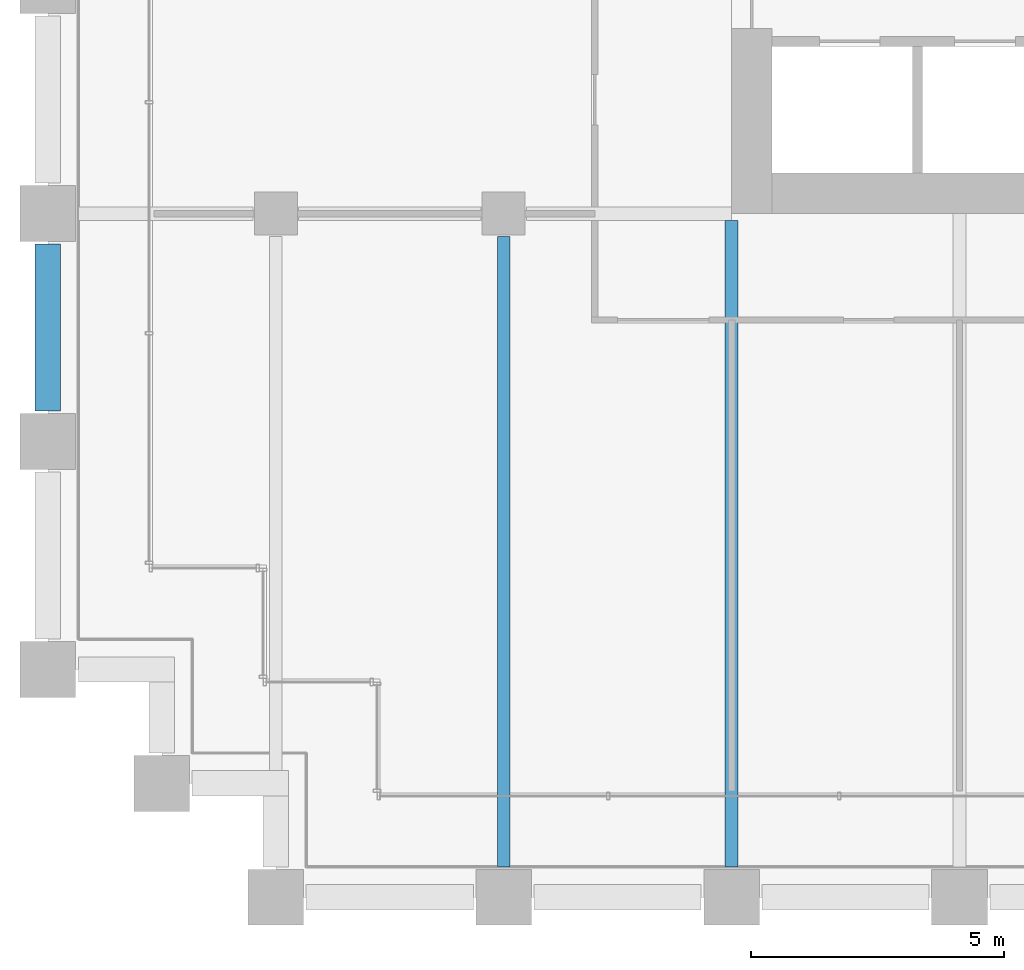
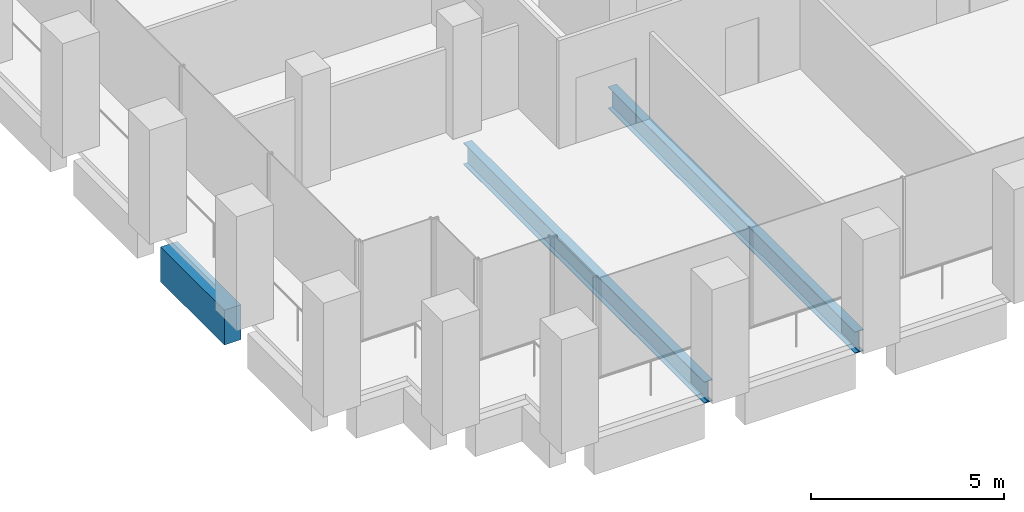
# One storey, part 4 of 55: 3 beams.
"""IFC4 building model written with IfcOpenShell, lengths in metres."""

import ifcopenshell
import ifcopenshell.guid

model = None  # the IFC model being written
_history = None  # IfcOwnerHistory: only IFC2X3 demands one
_inside = {}  # id of a spatial element -> (the spatial element, [elements in it])
_under = {}  # id of a project, library or spatial element -> (it, [spatial elements below it])
_declared = {}  # id of a project -> (the project, [libraries it declares])
_typed = {}  # id of a type object -> (the type object, [elements of that type])
_made_of = {}  # id of a material, layer set ... -> (it, [elements and type objects made of it])


def new_model(schema):
    """Start an empty IFC model of exactly this schema.

    Asked for "IFC4X3", IfcOpenShell would pick the latest addendum, in which some entities
    have other attributes; the version numbers below select the first issue.
    IFC2X3 requires an IfcOwnerHistory on every rooted entity: one is made here for all.
    """
    global model, _history
    if schema == "IFC4X3":
        model = ifcopenshell.file(schema_version=(4, 3, 0, 0))
    else:
        model = ifcopenshell.file(schema=schema)
    _inside.clear()
    _under.clear()
    _declared.clear()
    _typed.clear()
    _made_of.clear()
    _history = None
    if model.schema == "IFC2X3":
        org = make("IfcOrganization", Name="unknown")
        user = make(
            "IfcPersonAndOrganization",
            ThePerson=make("IfcPerson", FamilyName="unknown"),
            TheOrganization=org,
        )
        app = make(
            "IfcApplication",
            ApplicationDeveloper=org,
            Version="unknown",
            ApplicationFullName="unknown",
            ApplicationIdentifier="unknown",
        )
        _history = make(
            "IfcOwnerHistory",
            OwningUser=user,
            OwningApplication=app,
            ChangeAction="ADDED",
            CreationDate=0,
        )
    return model


def make(cls, **values):
    """One entity of the class cls with the attributes given. An attribute that is None is left unset."""
    return model.create_entity(
        cls, **{name: value for name, value in values.items() if value is not None}
    )


def rooted(cls, **values):
    """An entity with a GlobalId (a new one), such as an element, a storey or a relation."""
    return make(cls, GlobalId=ifcopenshell.guid.new(), OwnerHistory=_history, **values)


def si_unit(unit_type, name, prefix=None):
    """IfcSIUnit, for example si_unit("LENGTHUNIT", "METRE", prefix="MILLI")."""
    return make("IfcSIUnit", UnitType=unit_type, Prefix=prefix, Name=name)


def assignment(units):
    """IfcUnitAssignment: the units of a project."""
    return None if units is None else make("IfcUnitAssignment", Units=units)


def point(xyz):
    """IfcCartesianPoint."""
    return None if xyz is None else make("IfcCartesianPoint", Coordinates=xyz)


def direction(xyz):
    """IfcDirection."""
    return None if xyz is None else make("IfcDirection", DirectionRatios=xyz)


def frame(location, z_axis=None, x_axis=None):
    """IfcAxis2Placement3D, a coordinate frame: its origin and axes. An axis left out is left unset."""
    return make(
        "IfcAxis2Placement3D",
        Location=point(location),
        Axis=direction(z_axis),
        RefDirection=direction(x_axis),
    )


def frame_2d(location, x_axis=None):
    """IfcAxis2Placement2D, a coordinate frame in the plane: its origin and x axis."""
    return make(
        "IfcAxis2Placement2D", Location=point(location), RefDirection=direction(x_axis)
    )


def origin():
    """The frame at (0, 0, 0) with its axes left unset."""
    return frame((0.0, 0.0, 0.0))


def origin_2d():
    """The frame at (0, 0) in the plane with its x axis left unset."""
    return frame_2d((0.0, 0.0))


def place(relative_to, where):
    """IfcLocalPlacement: puts the frame where relative to a parent placement (None: the world)."""
    return make(
        "IfcLocalPlacement", PlacementRelTo=relative_to, RelativePlacement=where
    )


def context(
    kind, dimensions, precision=None, world=None, true_north=None, identifier=None
):
    """IfcGeometricRepresentationContext, for example the 3D "Model" context."""
    return make(
        "IfcGeometricRepresentationContext",
        ContextIdentifier=identifier,
        ContextType=kind,
        CoordinateSpaceDimension=dimensions,
        Precision=precision,
        WorldCoordinateSystem=world,
        TrueNorth=true_north,
    )


def subcontext(parent, identifier, kind, view, scale=None):
    """IfcGeometricRepresentationSubContext, for example "Body" below "Model"."""
    return make(
        "IfcGeometricRepresentationSubContext",
        ContextIdentifier=identifier,
        ContextType=kind,
        ParentContext=parent,
        TargetScale=scale,
        TargetView=view,
    )


def project(units=None, contexts=None):
    """IfcProject with its units and contexts."""
    return rooted(
        "IfcProject",
        Name="project",
        RepresentationContexts=contexts,
        UnitsInContext=assignment(units),
    )


def spatial(cls, under=None, at=None, **own):
    """A site, building, storey or space (cls), placed at a placement, below another one or the project."""
    s = rooted(cls, ObjectPlacement=at, **own)
    if under is not None:
        _under.setdefault(under.id(), (under, []))[1].append(s)
    return s


def profile(cls, at=None, kind="AREA", **sizes):
    """A parametric profile (cls). Its sizes go by their IFC names, for example OverallWidth=200.0."""
    return make(cls, ProfileType=kind, Position=at, **sizes)


def rectangle(**sizes):
    """IfcRectangleProfileDef."""
    return profile("IfcRectangleProfileDef", **sizes)


def i_section(**sizes):
    """IfcIShapeProfileDef."""
    return profile("IfcIShapeProfileDef", **sizes)


def extrude(swept, where, along, depth):
    """IfcExtrudedAreaSolid: the profile swept, set in the frame where, extruded along a direction by depth."""
    return make(
        "IfcExtrudedAreaSolid",
        SweptArea=swept,
        Position=where,
        ExtrudedDirection=direction(along),
        Depth=depth,
    )


def shape(context_of_items, identifier, shape_type, items):
    """IfcShapeRepresentation: the items that make up one representation, for example the "Body"."""
    return make(
        "IfcShapeRepresentation",
        ContextOfItems=context_of_items,
        RepresentationIdentifier=identifier,
        RepresentationType=shape_type,
        Items=items,
    )


def material(Name=None, Category=None):
    """IfcMaterial."""
    return make("IfcMaterial", Name=Name, Category=Category)


def material_profile(
    of_material, cross_section, Name=None, Category=None, Priority=None
):
    """IfcMaterialProfile: a cross section and its material."""
    return make(
        "IfcMaterialProfile",
        Name=Name,
        Material=of_material,
        Profile=cross_section,
        Priority=Priority,
        Category=Category,
    )


def profile_set(profiles, Name=None, composite=None):
    """IfcMaterialProfileSet."""
    return make(
        "IfcMaterialProfileSet",
        Name=Name,
        MaterialProfiles=profiles,
        CompositeProfile=composite,
    )


def made_of(thing, what):
    """Note that an element or type object is made of a material, layer set ...; save() writes the relation."""
    if what is not None:
        _made_of.setdefault(what.id(), (what, []))[1].append(thing)
    return thing


def type_object(cls, material=None, **own):
    """A type object (cls), such as IfcWallType, which elements share."""
    return made_of(rooted(cls, **own), material)


def element(
    cls,
    number,
    at=None,
    inside=None,
    cuts=None,
    type_object=None,
    material=None,
    context=None,
    identifier="Body",
    shape_type=None,
    held_by="IfcProductDefinitionShape",
    body=None,
    shapes=None,
    **own,
):
    """One element of the class cls, such as IfcWall. Its Tag is "e" and its number.

    at: its placement. inside: the storey or other place that contains it. cuts: it is an
    opening in that element (IfcRelVoidsElement). A single representation is given by context,
    identifier, shape_type and body (its items); several are given by shapes. held_by: the class
    of the entity that holds the representations. save() writes the other relations.
    """
    e = rooted(cls, Tag="e%d" % number, ObjectPlacement=at, **own)
    if body is not None:
        shapes = [shape(context, identifier, shape_type, body)]
    if shapes is not None:
        e.Representation = make(held_by, Representations=shapes)
    if inside is not None:
        _inside.setdefault(inside.id(), (inside, []))[1].append(e)
    if cuts is not None:
        rooted(
            "IfcRelVoidsElement", RelatingBuildingElement=cuts, RelatedOpeningElement=e
        )
    if type_object is not None:
        _typed.setdefault(type_object.id(), (type_object, []))[1].append(e)
    return made_of(e, material)


def aggregate(whole, parts):
    """IfcRelAggregates: a whole, such as a stair, and the parts it consists of."""
    return rooted("IfcRelAggregates", RelatingObject=whole, RelatedObjects=parts)


def save(model, path):
    """Write the relations noted so far, then the file.

    IfcRelAggregates (storeys below a building ...), IfcRelContainedInSpatialStructure (elements
    in a storey), IfcRelDefinesByType, IfcRelAssociatesMaterial and IfcRelDeclares: one each for
    every whole, place, type object, material and project.
    """
    for whole, parts in _under.values():
        aggregate(whole, parts)
    for where, things in _inside.values():
        rooted(
            "IfcRelContainedInSpatialStructure",
            RelatedElements=things,
            RelatingStructure=where,
        )
    for kind, things in _typed.values():
        rooted("IfcRelDefinesByType", RelatedObjects=things, RelatingType=kind)
    for what, things in _made_of.values():
        rooted("IfcRelAssociatesMaterial", RelatedObjects=things, RelatingMaterial=what)
    for by, libraries in _declared.values():
        rooted("IfcRelDeclares", RelatingContext=by, RelatedDefinitions=libraries)
    model.write(path)


model = new_model("IFC4")

# Units and contexts
model_context = context("Model", 3, precision=1e-05, world=origin(), true_north=direction((0.0, 1.0)))
body_context = subcontext(model_context, "Body", "Model", "MODEL_VIEW")
ifc_project = project(units=[si_unit("LENGTHUNIT", "METRE"), si_unit("AREAUNIT", "SQUARE_METRE"), si_unit("VOLUMEUNIT", "CUBIC_METRE"), si_unit("PLANEANGLEUNIT", "RADIAN"), si_unit("MASSUNIT", "GRAM", prefix="KILO")], contexts=[model_context])

# Site, building, storey
site_placement = place(None, origin())
site = spatial("IfcSite", under=ifc_project, at=site_placement, CompositionType="ELEMENT")
building_placement = place(site_placement, origin())
building = spatial("IfcBuilding", under=site, at=building_placement, Name="Altepetl Exchange Towers", CompositionType="ELEMENT")
storey_placement = place(building_placement, frame((0.0, 0.0, 47.39990234375)))
storey = spatial("IfcBuildingStorey", under=building, at=storey_placement, Name="L10", CompositionType="ELEMENT", Elevation=47.39990234375)

# Beams
ifc_material_1 = material(Name="Steel S355", Category="steel")
ifc_material_profile_1 = material_profile(ifc_material_1, i_section(OverallWidth=0.25390625, OverallDepth=0.68408203125, WebThickness=0.012451171875, FlangeThickness=0.018798828125, at=origin_2d()), Name="W27X94")
ifc_profile_set_1 = profile_set([ifc_material_profile_1], Name="Steel S355")
beam_type_1 = type_object("IfcBeamType", Name="Floor beam W27X94", PredefinedType="BEAM", material=ifc_profile_set_1)
beam_1_placement = place(storey_placement, frame((36.0, 27.60009765625, -0.491943359375), z_axis=(0.0, 1.0, 0.0), x_axis=(-1.0, 0.0, 0.0)))
element("IfcBeam", 1, at=beam_1_placement, inside=storey, type_object=beam_type_1, Name="bm:A:L10:013", PredefinedType="BEAM", context=body_context, shape_type="SweptSolid", body=[
    extrude(i_section(OverallWidth=0.25390625, OverallDepth=0.68408203125, WebThickness=0.012451171875, FlangeThickness=0.018798828125, at=origin_2d()), origin(), (0.0, 0.0, 1.0), 12.449951171875),
])
beam_2_placement = place(storey_placement, frame((40.5, 27.60009765625, -0.491943359375), z_axis=(0.0, 1.0, 0.0), x_axis=(-1.0, 0.0, 0.0)))
element("IfcBeam", 2, at=beam_2_placement, inside=storey, type_object=beam_type_1, Name="bm:A:L10:014", PredefinedType="BEAM", context=body_context, shape_type="SweptSolid", body=[
    extrude(i_section(OverallWidth=0.25390625, OverallDepth=0.68408203125, WebThickness=0.012451171875, FlangeThickness=0.018798828125, at=origin_2d()), origin(), (0.0, 0.0, 1.0), 12.765869140625),
])
ifc_material_2 = material(Name="Concrete C50/60 precast with cantera blanca facing", Category="concrete")
ifc_material_profile_2 = material_profile(ifc_material_2, rectangle(XDim=0.5, YDim=1.10009765625, at=origin_2d()), Name="500 x 1100")
ifc_profile_set_2 = profile_set([ifc_material_profile_2], Name="Concrete C50/60 precast with cantera blanca facing")
beam_type_2 = type_object("IfcBeamType", Name="Spandrel beam 500x1100 cantera blanca", PredefinedType="SPANDREL", material=ifc_profile_set_2)
beam_3_placement = place(storey_placement, frame((27.0, 39.89990234375, -0.699951171875), z_axis=(0.0, -1.0, 0.0), x_axis=(1.0, 0.0, 0.0)))
element("IfcBeam", 3, at=beam_3_placement, inside=storey, type_object=beam_type_2, Name="sp:A:L10:042", PredefinedType="SPANDREL", context=body_context, shape_type="SweptSolid", body=[
    extrude(rectangle(XDim=0.5, YDim=1.10009765625, at=origin_2d()), origin(), (0.0, 0.0, 1.0), 3.2998046875),
])

save(model, "model.ifc")
